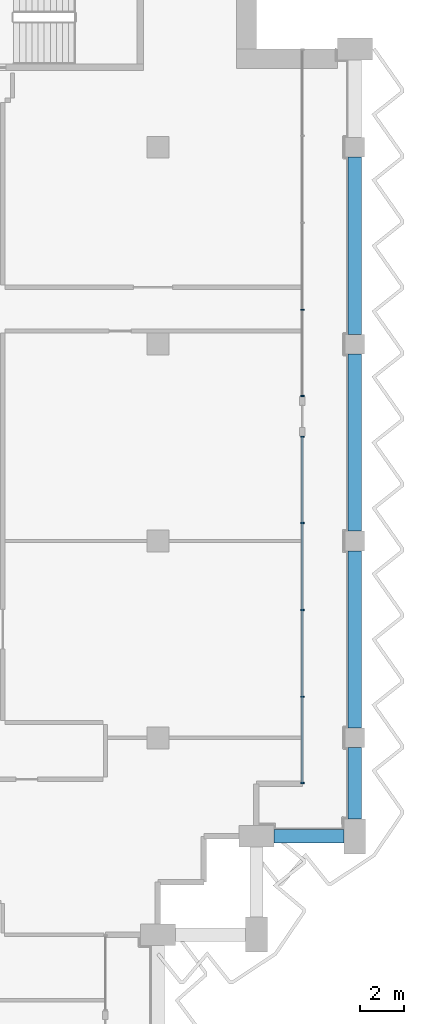
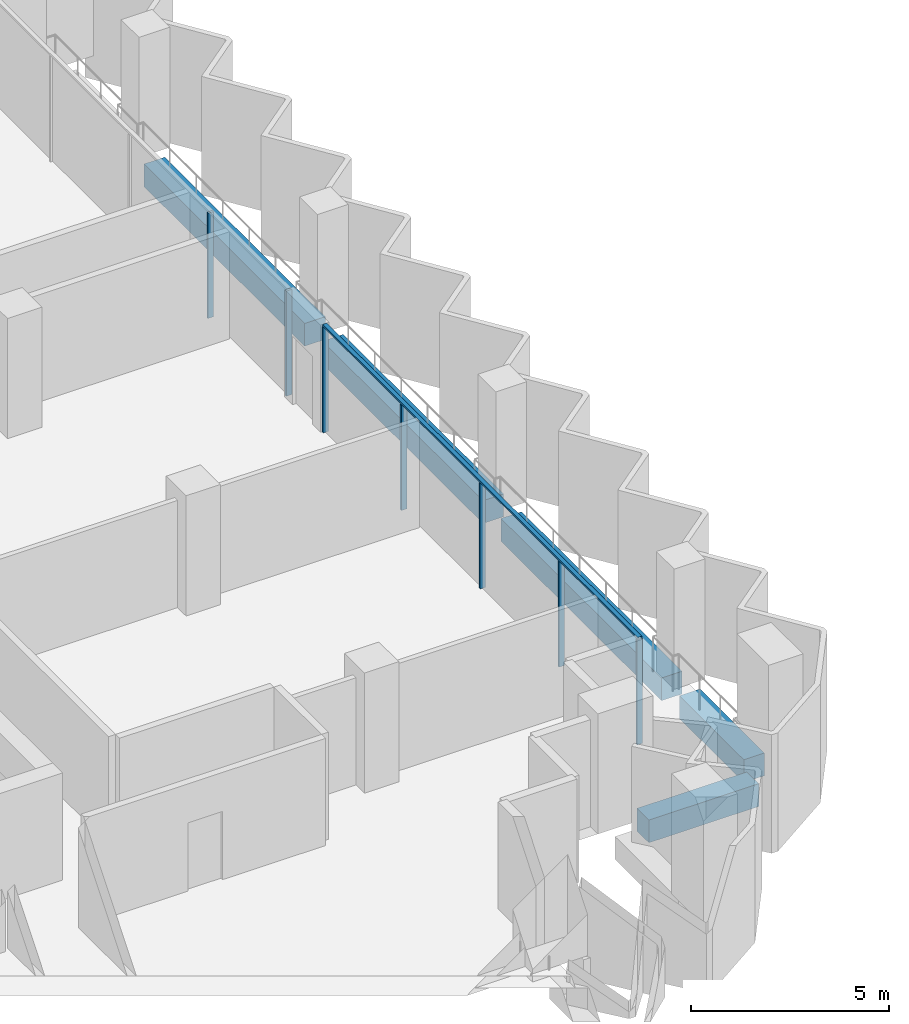
# One storey, part 4 of 16: 8 members, 5 beams, 2 elements without a shape of their own.
"""IFC4 building model written with IfcOpenShell, lengths in metres."""

from ifc_helpers import new_model, si_unit, direction, frame, origin, origin_2d, place, context, subcontext, project, spatial, rectangle, extrude, material, material_profile, profile_set, type_object, element, aggregate, save


model = new_model("IFC4")

# Units and contexts
model_context = context("Model", 3, precision=1e-05, world=origin(), true_north=direction((0.0, 1.0)))
body_context = subcontext(model_context, "Body", "Model", "MODEL_VIEW")
ifc_project = project(units=[si_unit("LENGTHUNIT", "METRE"), si_unit("AREAUNIT", "SQUARE_METRE"), si_unit("VOLUMEUNIT", "CUBIC_METRE"), si_unit("PLANEANGLEUNIT", "RADIAN"), si_unit("MASSUNIT", "GRAM", prefix="KILO")], contexts=[model_context])

# Site, building, storey
site_placement = place(None, origin())
site = spatial("IfcSite", under=ifc_project, at=site_placement, CompositionType="ELEMENT")
building_placement = place(site_placement, origin())
building = spatial("IfcBuilding", under=site, at=building_placement, Name="Hunhe Ridgeline Campus", CompositionType="ELEMENT")
storey_placement = place(building_placement, frame((0.0, 0.0, 257.699951171875)))
storey = spatial("IfcBuildingStorey", under=building, at=storey_placement, Name="L66", CompositionType="ELEMENT", Elevation=257.699951171875)

# Curtain wall, members
ifc_material_1 = material(Name="Aluminium 6063", Category="aluminium")
curtain_wall_type = type_object("IfcCurtainWallType", Name="Curtain wall CW-1", PredefinedType="NOTDEFINED", material=ifc_material_1)
curtain_wall_1_placement = place(storey_placement, origin())
curtain_wall_1 = element("IfcCurtainWall", 1, at=curtain_wall_1_placement, inside=storey, type_object=curtain_wall_type, Name="Curtain wall 13", PredefinedType="NOTDEFINED")
ifc_material_profile_1 = material_profile(ifc_material_1, rectangle(XDim=0.159912109375, YDim=0.06005859375, at=origin_2d()))
ifc_profile_set_1 = profile_set([ifc_material_profile_1], Name="Aluminium 6063")
member_type_1 = type_object("IfcMemberType", Name="CW-1 aluminium mullion", PredefinedType="MULLION", material=ifc_profile_set_1)
member_1_placement = place(storey_placement, frame((51.59912109375, 60.930908203125, 0.0), z_axis=(0.0, 0.0, 1.0), x_axis=(-1.0, 0.0, 0.0)))
member_1 = element("IfcMember", 2, at=member_1_placement, type_object=member_type_1, Name="CW-1 mullion 1", PredefinedType="MULLION", context=body_context, shape_type="SweptSolid", body=[
    extrude(rectangle(XDim=0.159912109375, YDim=0.06005859375, at=origin_2d()), origin(), (0.0, 0.0, 1.0), 3.239990234375),
])
member_2_placement = place(storey_placement, frame((51.59912109375, 64.8759765625, 0.0), z_axis=(0.0, 0.0, 1.0), x_axis=(-1.0, 0.0, 0.0)))
member_2 = element("IfcMember", 3, at=member_2_placement, type_object=member_type_1, Name="CW-1 mullion 2", PredefinedType="MULLION", context=body_context, shape_type="SweptSolid", body=[
    extrude(rectangle(XDim=0.159912109375, YDim=0.06005859375, at=origin_2d()), origin(), (0.0, 0.0, 1.0), 3.239990234375),
])
member_3_placement = place(storey_placement, frame((51.59912109375, 68.850830078125, 0.0), z_axis=(0.0, 0.0, 1.0), x_axis=(-1.0, 0.0, 0.0)))
member_3 = element("IfcMember", 4, at=member_3_placement, type_object=member_type_1, Name="CW-1 mullion 3", PredefinedType="MULLION", context=body_context, shape_type="SweptSolid", body=[
    extrude(rectangle(XDim=0.159912109375, YDim=0.06005859375, at=origin_2d()), origin(), (0.0, 0.0, 1.0), 3.239990234375),
])
member_4_placement = place(storey_placement, frame((51.59912109375, 72.82568359375, 0.0), z_axis=(0.0, 0.0, 1.0), x_axis=(-1.0, 0.0, 0.0)))
member_4 = element("IfcMember", 5, at=member_4_placement, type_object=member_type_1, Name="CW-1 mullion 4", PredefinedType="MULLION", context=body_context, shape_type="SweptSolid", body=[
    extrude(rectangle(XDim=0.159912109375, YDim=0.06005859375, at=origin_2d()), origin(), (0.0, 0.0, 1.0), 3.239990234375),
])
member_5_placement = place(storey_placement, frame((51.59912109375, 76.7705078125, 0.0), z_axis=(0.0, 0.0, 1.0), x_axis=(-1.0, 0.0, 0.0)))
member_5 = element("IfcMember", 6, at=member_5_placement, type_object=member_type_1, Name="CW-1 mullion 5", PredefinedType="MULLION", context=body_context, shape_type="SweptSolid", body=[
    extrude(rectangle(XDim=0.159912109375, YDim=0.06005859375, at=origin_2d()), origin(), (0.0, 0.0, 1.0), 3.239990234375),
])

curtain_wall_2_placement = place(storey_placement, origin())
curtain_wall_2 = element("IfcCurtainWall", 7, at=curtain_wall_2_placement, inside=storey, type_object=curtain_wall_type, Name="Curtain wall 14", PredefinedType="NOTDEFINED")
member_6_placement = place(storey_placement, frame((51.59912109375, 78.630615234375, 0.0), z_axis=(0.0, 0.0, 1.0), x_axis=(-1.0, 0.0, 0.0)))
member_6 = element("IfcMember", 8, at=member_6_placement, type_object=member_type_1, Name="CW-1 mullion 1", PredefinedType="MULLION", context=body_context, shape_type="SweptSolid", body=[
    extrude(rectangle(XDim=0.159912109375, YDim=0.06005859375, at=origin_2d()), origin(), (0.0, 0.0, 1.0), 3.239990234375),
])
member_7_placement = place(storey_placement, frame((51.59912109375, 82.575439453125, 0.0), z_axis=(0.0, 0.0, 1.0), x_axis=(-1.0, 0.0, 0.0)))
member_7 = element("IfcMember", 9, at=member_7_placement, type_object=member_type_1, Name="CW-1 mullion 2", PredefinedType="MULLION", context=body_context, shape_type="SweptSolid", body=[
    extrude(rectangle(XDim=0.159912109375, YDim=0.06005859375, at=origin_2d()), origin(), (0.0, 0.0, 1.0), 3.239990234375),
])
aggregate(curtain_wall_2, [member_6, member_7])

# Member
ifc_material_profile_2 = material_profile(ifc_material_1, rectangle(XDim=0.1201171875, YDim=0.06005859375, at=origin_2d()))
ifc_profile_set_2 = profile_set([ifc_material_profile_2], Name="Aluminium 6063")
member_type_2 = type_object("IfcMemberType", Name="CW-1 aluminium transom", PredefinedType="USERDEFINED", material=ifc_profile_set_2)
member_8_placement = place(storey_placement, frame((51.59912109375, 60.90087890625, 3.27001953125), z_axis=(0.0, 1.0, 0.0), x_axis=(-1.0, 0.0, 0.0)))
member_8 = element("IfcMember", 10, at=member_8_placement, type_object=member_type_2, Name="CW-1 transom 1", ObjectType="TRANSOM", PredefinedType="USERDEFINED", context=body_context, shape_type="SweptSolid", body=[
    extrude(rectangle(XDim=0.1201171875, YDim=0.06005859375, at=origin_2d()), origin(), (0.0, 0.0, 1.0), 15.899658203125),
])

aggregate(curtain_wall_1, [member_8, member_1, member_2, member_3, member_4, member_5])

# Beams
ifc_material_2 = material(Name="Concrete C50", Category="concrete")
ifc_material_profile_3 = material_profile(ifc_material_2, rectangle(XDim=0.60009765625, YDim=0.699951171875, at=origin_2d()))
ifc_profile_set_3 = profile_set([ifc_material_profile_3], Name="Concrete C50")
beam_type = type_object("IfcBeamType", Name="RC spandrel beam 600x700 Concrete C50", PredefinedType="SPANDREL", material=ifc_profile_set_3)
beam_1_placement = place(storey_placement, frame((50.300048828125, 58.5, -0.599853515625), z_axis=(1.0, 0.0, 0.0), x_axis=(0.0, 1.0, 0.0)))
element("IfcBeam", 11, at=beam_1_placement, inside=storey, type_object=beam_type, Name="Spandrel beam B4-12 L66", PredefinedType="SPANDREL", context=body_context, shape_type="SweptSolid", body=[
    extrude(rectangle(XDim=0.60009765625, YDim=0.699951171875, at=origin_2d()), origin(), (0.0, 0.0, 1.0), 3.199951171875),
])
beam_2_placement = place(storey_placement, frame((54.0, 59.300048828125, -0.599853515625), z_axis=(0.0, 1.0, 0.0), x_axis=(-1.0, 0.0, 0.0)))
element("IfcBeam", 12, at=beam_2_placement, inside=storey, type_object=beam_type, Name="Spandrel beam B4-13 L66", PredefinedType="SPANDREL", context=body_context, shape_type="SweptSolid", body=[
    extrude(rectangle(XDim=0.60009765625, YDim=0.699951171875, at=origin_2d()), origin(), (0.0, 0.0, 1.0), 3.25),
])
for number, where, z_axis, x_axis, name in (
    (13, (54.0, 63.449951171875, -0.599853515625), (0.0, 1.0, 0.0), (-1.0, 0.0, 0.0), "Spandrel beam B4-14 L66"),
    (14, (54.0, 72.449951171875, -0.599853515625), (0.0, 1.0, 0.0), (-1.0, 0.0, 0.0), "Spandrel beam B4-15 L66"),
    (15, (54.0, 81.449951171875, -0.599853515625), (0.0, 1.0, 0.0), (-1.0, 0.0, 0.0), "Spandrel beam B4-16 L66"),
):
    element("IfcBeam", number, at=place(storey_placement, frame(where, z_axis=z_axis, x_axis=x_axis)), inside=storey, type_object=beam_type, Name=name, PredefinedType="SPANDREL", context=body_context, shape_type="SweptSolid", body=[
        extrude(rectangle(XDim=0.60009765625, YDim=0.699951171875, at=origin_2d()), origin(), (0.0, 0.0, 1.0), 8.10009765625),
    ])

save(model, "model.ifc")
